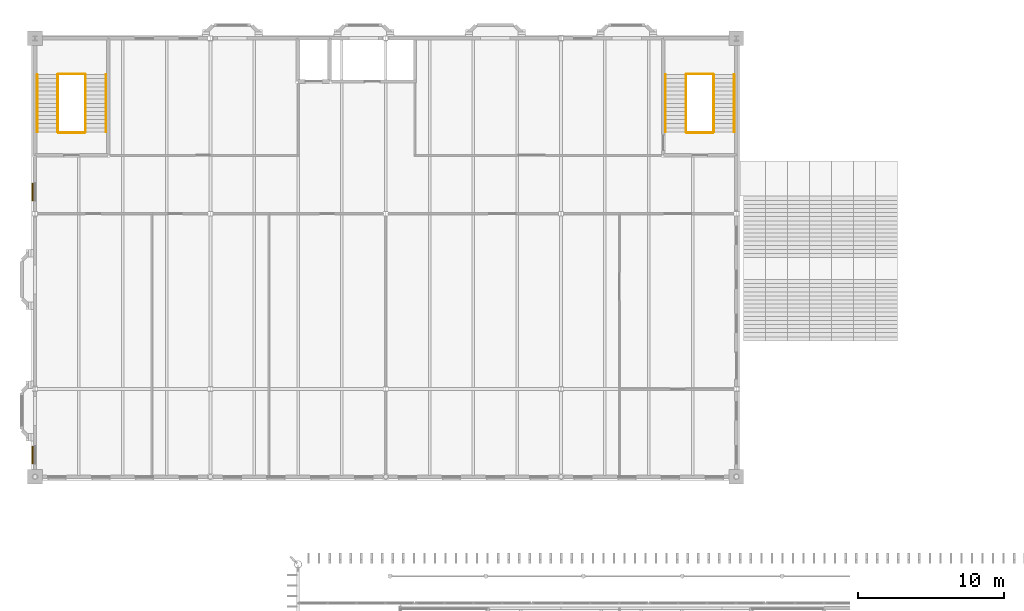
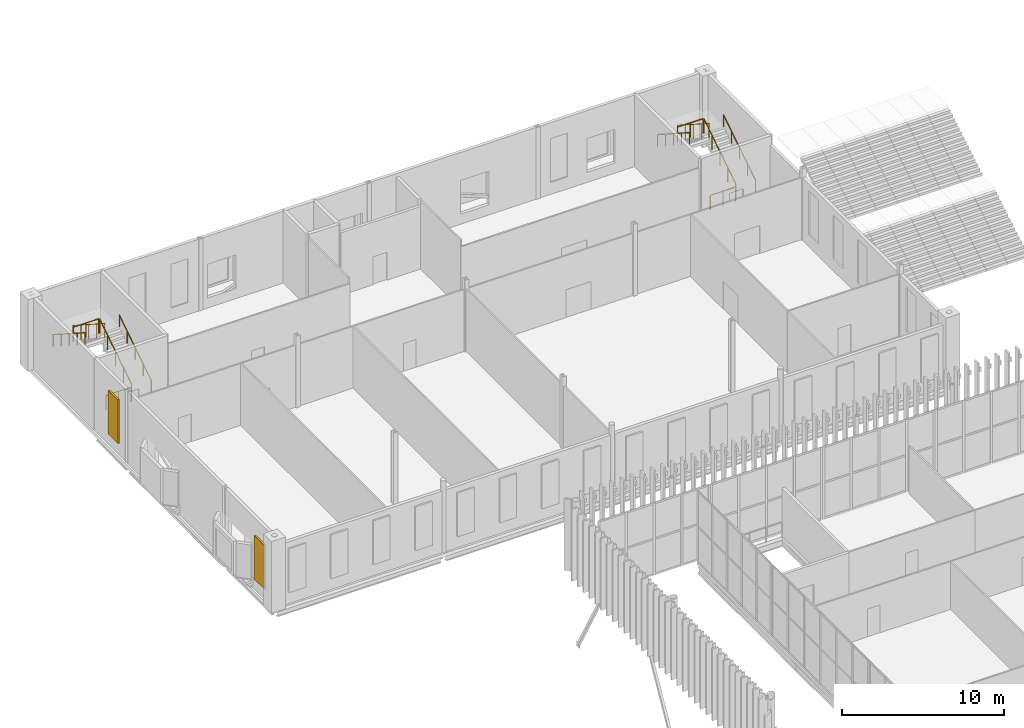
# One storey, part 164 of 170: 12 railings, 2 shading devices.
"""IFC4 building model written with IfcOpenShell, lengths in metres."""

from ifc_helpers import new_model, si_unit, direction, frame, origin, origin_2d, place, context, subcontext, project, spatial, rectangle, circle, extrude, material, layer, layer_set, type_object, element, save


model = new_model("IFC4")

# Units and contexts
model_context = context("Model", 3, precision=1e-05, world=origin(), true_north=direction((0.0, 1.0)))
body_context = subcontext(model_context, "Body", "Model", "MODEL_VIEW")
ifc_project = project(units=[si_unit("LENGTHUNIT", "METRE"), si_unit("AREAUNIT", "SQUARE_METRE"), si_unit("VOLUMEUNIT", "CUBIC_METRE"), si_unit("PLANEANGLEUNIT", "RADIAN"), si_unit("MASSUNIT", "GRAM", prefix="KILO")], contexts=[model_context])

# Site, building, storey
site_placement = place(None, origin())
site = spatial("IfcSite", under=ifc_project, at=site_placement, CompositionType="ELEMENT")
building_placement = place(site_placement, origin())
building = spatial("IfcBuilding", under=site, at=building_placement, Name="Ravi Spectrum Wholesale Market", CompositionType="ELEMENT")
storey_placement = place(building_placement, frame((0.0, 0.0, 5.39990234375)))
storey = spatial("IfcBuildingStorey", under=building, at=storey_placement, Name="L01", CompositionType="ELEMENT", Elevation=5.39990234375)

# Railings
ifc_material_1 = material(Name="Steel S355", Category="steel")
railing_type_1 = type_object("IfcRailingType", Name="Guard 1100", PredefinedType="GUARDRAIL", material=ifc_material_1)
railing_1_placement = place(storey_placement, frame((15.449951171875, 227.60009765625, 0.18017578125)))
element("IfcRailing", 1, at=railing_1_placement, inside=storey, type_object=railing_type_1, Name="L01 S-OF-1 stair guard 1", PredefinedType="GUARDRAIL", context=body_context, shape_type="SweptSolid", body=[
    extrude(circle(Radius=0.02392578125, at=origin_2d()), frame((0.0, 0.0, 1.076171875), z_axis=(0.0, 0.841171666519, 0.540768182723), x_axis=(-1.0, 0.0, 0.0)), (0.0, 0.0, 1.0), 4.66015625),
    extrude(circle(Radius=0.02099609375, at=origin_2d()), origin(), (0.0, 0.0, 1.0), 1.052001953125),
    extrude(circle(Radius=0.02099609375, at=origin_2d()), frame((0.0, 0.97998046875, 0.6298828125)), (0.0, 0.0, 1.0), 1.052001953125),
    extrude(circle(Radius=0.02099609375, at=origin_2d()), frame((0.0, 1.9599609375, 1.260009765625)), (0.0, 0.0, 1.0), 1.052001953125),
    extrude(circle(Radius=0.02099609375, at=origin_2d()), frame((0.0, 2.93994140625, 1.89013671875)), (0.0, 0.0, 1.0), 1.052001953125),
    extrude(circle(Radius=0.02099609375, at=origin_2d()), frame((0.0, 3.919921875, 2.52001953125)), (0.0, 0.0, 1.0), 1.052001953125),
])
railing_2_placement = place(storey_placement, frame((15.39990234375, 231.570068359375, 2.7001953125)))
element("IfcRailing", 2, at=railing_2_placement, inside=storey, type_object=railing_type_1, Name="L01 S-OF-1 stair guard 2", PredefinedType="GUARDRAIL", context=body_context, shape_type="SweptSolid", body=[
    extrude(circle(Radius=0.02392578125, at=origin_2d()), frame((0.0, 0.0, 1.076171875), z_axis=(-1.0, 0.0, 0.0), x_axis=(0.0, -1.0, 0.0)), (0.0, 0.0, 1.0), 1.7998046875),
    extrude(circle(Radius=0.02099609375, at=origin_2d()), origin(), (0.0, 0.0, 1.0), 1.052001953125),
    extrude(circle(Radius=0.02099609375, at=origin_2d()), frame((-0.89990234375, 0.0, 0.0)), (0.0, 0.0, 1.0), 1.052001953125),
    extrude(circle(Radius=0.02099609375, at=origin_2d()), frame((-1.7998046875, 0.0, 0.0)), (0.0, 0.0, 1.0), 1.052001953125),
])
railing_3_placement = place(storey_placement, frame((13.550048828125, 231.52001953125, 2.880126953125)))
element("IfcRailing", 3, at=railing_3_placement, inside=storey, type_object=railing_type_1, Name="L01 S-OF-1 stair guard 3", PredefinedType="GUARDRAIL", context=body_context, shape_type="SweptSolid", body=[
    extrude(circle(Radius=0.02392578125, at=origin_2d()), frame((0.0, 0.0, 1.076171875), z_axis=(0.0, -0.841171666519, 0.540768182723), x_axis=(1.0, 0.0, 0.0)), (0.0, 0.0, 1.0), 4.66015625),
    extrude(circle(Radius=0.02099609375, at=origin_2d()), origin(), (0.0, 0.0, 1.0), 1.052001953125),
    extrude(circle(Radius=0.02099609375, at=origin_2d()), frame((0.0, -0.97998046875, 0.6298828125)), (0.0, 0.0, 1.0), 1.052001953125),
    extrude(circle(Radius=0.02099609375, at=origin_2d()), frame((0.0, -1.9599609375, 1.260009765625)), (0.0, 0.0, 1.0), 1.052001953125),
    extrude(circle(Radius=0.02099609375, at=origin_2d()), frame((0.0, -2.93994140625, 1.89013671875)), (0.0, 0.0, 1.0), 1.052001953125),
    extrude(circle(Radius=0.02099609375, at=origin_2d()), frame((0.0, -3.919921875, 2.52001953125)), (0.0, 0.0, 1.0), 1.052001953125),
])
railing_4_placement = place(storey_placement, frame((15.39990234375, 227.550048828125, 0.0)))
element("IfcRailing", 4, at=railing_4_placement, inside=storey, type_object=railing_type_1, Name="L01 S-OF-1 stair guard 4", PredefinedType="GUARDRAIL", context=body_context, shape_type="SweptSolid", body=[
    extrude(circle(Radius=0.02392578125, at=origin_2d()), frame((0.0, 0.0, 1.076171875), z_axis=(-1.0, 0.0, 0.0), x_axis=(0.0, -1.0, 0.0)), (0.0, 0.0, 1.0), 1.7998046875),
    extrude(circle(Radius=0.02099609375, at=origin_2d()), origin(), (0.0, 0.0, 1.0), 1.052001953125),
    extrude(circle(Radius=0.02099609375, at=origin_2d()), frame((-0.89990234375, 0.0, 0.0)), (0.0, 0.0, 1.0), 1.052001953125),
    extrude(circle(Radius=0.02099609375, at=origin_2d()), frame((-1.7998046875, 0.0, 0.0)), (0.0, 0.0, 1.0), 1.052001953125),
])
railing_5_placement = place(storey_placement, frame((58.449951171875, 227.60009765625, 0.18017578125)))
element("IfcRailing", 5, at=railing_5_placement, inside=storey, type_object=railing_type_1, Name="L01 S-OF-2 stair guard 1", PredefinedType="GUARDRAIL", context=body_context, shape_type="SweptSolid", body=[
    extrude(circle(Radius=0.02392578125, at=origin_2d()), frame((0.0, 0.0, 1.076171875), z_axis=(0.0, 0.841171666519, 0.540768182723), x_axis=(-1.0, 0.0, 0.0)), (0.0, 0.0, 1.0), 4.66015625),
    extrude(circle(Radius=0.02099609375, at=origin_2d()), origin(), (0.0, 0.0, 1.0), 1.052001953125),
    extrude(circle(Radius=0.02099609375, at=origin_2d()), frame((0.0, 0.97998046875, 0.6298828125)), (0.0, 0.0, 1.0), 1.052001953125),
    extrude(circle(Radius=0.02099609375, at=origin_2d()), frame((0.0, 1.9599609375, 1.260009765625)), (0.0, 0.0, 1.0), 1.052001953125),
    extrude(circle(Radius=0.02099609375, at=origin_2d()), frame((0.0, 2.93994140625, 1.89013671875)), (0.0, 0.0, 1.0), 1.052001953125),
    extrude(circle(Radius=0.02099609375, at=origin_2d()), frame((0.0, 3.919921875, 2.52001953125)), (0.0, 0.0, 1.0), 1.052001953125),
])
railing_6_placement = place(storey_placement, frame((58.39990234375, 231.570068359375, 2.7001953125)))
element("IfcRailing", 6, at=railing_6_placement, inside=storey, type_object=railing_type_1, Name="L01 S-OF-2 stair guard 2", PredefinedType="GUARDRAIL", context=body_context, shape_type="SweptSolid", body=[
    extrude(circle(Radius=0.02392578125, at=origin_2d()), frame((0.0, 0.0, 1.076171875), z_axis=(-1.0, 0.0, 0.0), x_axis=(0.0, -1.0, 0.0)), (0.0, 0.0, 1.0), 1.7998046875),
    extrude(circle(Radius=0.02099609375, at=origin_2d()), origin(), (0.0, 0.0, 1.0), 1.052001953125),
    extrude(circle(Radius=0.02099609375, at=origin_2d()), frame((-0.89990234375, 0.0, 0.0)), (0.0, 0.0, 1.0), 1.052001953125),
    extrude(circle(Radius=0.02099609375, at=origin_2d()), frame((-1.7998046875, 0.0, 0.0)), (0.0, 0.0, 1.0), 1.052001953125),
])
railing_7_placement = place(storey_placement, frame((56.550048828125, 231.52001953125, 2.880126953125)))
element("IfcRailing", 7, at=railing_7_placement, inside=storey, type_object=railing_type_1, Name="L01 S-OF-2 stair guard 3", PredefinedType="GUARDRAIL", context=body_context, shape_type="SweptSolid", body=[
    extrude(circle(Radius=0.02392578125, at=origin_2d()), frame((0.0, 0.0, 1.076171875), z_axis=(0.0, -0.841171666519, 0.540768182723), x_axis=(1.0, 0.0, 0.0)), (0.0, 0.0, 1.0), 4.66015625),
    extrude(circle(Radius=0.02099609375, at=origin_2d()), origin(), (0.0, 0.0, 1.0), 1.052001953125),
    extrude(circle(Radius=0.02099609375, at=origin_2d()), frame((0.0, -0.97998046875, 0.6298828125)), (0.0, 0.0, 1.0), 1.052001953125),
    extrude(circle(Radius=0.02099609375, at=origin_2d()), frame((0.0, -1.9599609375, 1.260009765625)), (0.0, 0.0, 1.0), 1.052001953125),
    extrude(circle(Radius=0.02099609375, at=origin_2d()), frame((0.0, -2.93994140625, 1.89013671875)), (0.0, 0.0, 1.0), 1.052001953125),
    extrude(circle(Radius=0.02099609375, at=origin_2d()), frame((0.0, -3.919921875, 2.52001953125)), (0.0, 0.0, 1.0), 1.052001953125),
])
railing_8_placement = place(storey_placement, frame((58.39990234375, 227.550048828125, 0.0)))
element("IfcRailing", 8, at=railing_8_placement, inside=storey, type_object=railing_type_1, Name="L01 S-OF-2 stair guard 4", PredefinedType="GUARDRAIL", context=body_context, shape_type="SweptSolid", body=[
    extrude(circle(Radius=0.02392578125, at=origin_2d()), frame((0.0, 0.0, 1.076171875), z_axis=(-1.0, 0.0, 0.0), x_axis=(0.0, -1.0, 0.0)), (0.0, 0.0, 1.0), 1.7998046875),
    extrude(circle(Radius=0.02099609375, at=origin_2d()), origin(), (0.0, 0.0, 1.0), 1.052001953125),
    extrude(circle(Radius=0.02099609375, at=origin_2d()), frame((-0.89990234375, 0.0, 0.0)), (0.0, 0.0, 1.0), 1.052001953125),
    extrude(circle(Radius=0.02099609375, at=origin_2d()), frame((-1.7998046875, 0.0, 0.0)), (0.0, 0.0, 1.0), 1.052001953125),
])
ifc_material_2 = material(Name="Stainless steel", Category="steel")
railing_type_2 = type_object("IfcRailingType", Name="Handrail 900", PredefinedType="HANDRAIL", material=ifc_material_2)
railing_9_placement = place(storey_placement, frame((16.85009765625, 227.60009765625, 0.18017578125)))
element("IfcRailing", 9, at=railing_9_placement, inside=storey, type_object=railing_type_2, Name="L01 S-OF-1 stair handrail 1", PredefinedType="HANDRAIL", context=body_context, shape_type="SweptSolid", body=[
    extrude(circle(Radius=0.02392578125, at=origin_2d()), frame((0.0, 0.0, 0.8759765625), z_axis=(0.0, 0.841171666519, 0.540768182723), x_axis=(-1.0, 0.0, 0.0)), (0.0, 0.0, 1.0), 4.66015625),
    extrude(circle(Radius=0.02099609375, at=origin_2d()), origin(), (0.0, 0.0, 1.0), 0.851806640625),
    extrude(circle(Radius=0.02099609375, at=origin_2d()), frame((0.0, 0.97998046875, 0.6298828125)), (0.0, 0.0, 1.0), 0.851806640625),
    extrude(circle(Radius=0.02099609375, at=origin_2d()), frame((0.0, 1.9599609375, 1.260009765625)), (0.0, 0.0, 1.0), 0.851806640625),
    extrude(circle(Radius=0.02099609375, at=origin_2d()), frame((0.0, 2.93994140625, 1.89013671875)), (0.0, 0.0, 1.0), 0.851806640625),
    extrude(circle(Radius=0.02099609375, at=origin_2d()), frame((0.0, 3.919921875, 2.52001953125)), (0.0, 0.0, 1.0), 0.851806640625),
])
railing_10_placement = place(storey_placement, frame((12.14990234375, 231.52001953125, 2.880126953125)))
element("IfcRailing", 10, at=railing_10_placement, inside=storey, type_object=railing_type_2, Name="L01 S-OF-1 stair handrail 2", PredefinedType="HANDRAIL", context=body_context, shape_type="SweptSolid", body=[
    extrude(circle(Radius=0.02392578125, at=origin_2d()), frame((0.0, 0.0, 0.8759765625), z_axis=(0.0, -0.841171666519, 0.540768182723), x_axis=(1.0, 0.0, 0.0)), (0.0, 0.0, 1.0), 4.66015625),
    extrude(circle(Radius=0.02099609375, at=origin_2d()), origin(), (0.0, 0.0, 1.0), 0.851806640625),
    extrude(circle(Radius=0.02099609375, at=origin_2d()), frame((0.0, -0.97998046875, 0.6298828125)), (0.0, 0.0, 1.0), 0.851806640625),
    extrude(circle(Radius=0.02099609375, at=origin_2d()), frame((0.0, -1.9599609375, 1.260009765625)), (0.0, 0.0, 1.0), 0.851806640625),
    extrude(circle(Radius=0.02099609375, at=origin_2d()), frame((0.0, -2.93994140625, 1.89013671875)), (0.0, 0.0, 1.0), 0.851806640625),
    extrude(circle(Radius=0.02099609375, at=origin_2d()), frame((0.0, -3.919921875, 2.52001953125)), (0.0, 0.0, 1.0), 0.851806640625),
])
railing_11_placement = place(storey_placement, frame((59.85009765625, 227.60009765625, 0.18017578125)))
element("IfcRailing", 11, at=railing_11_placement, inside=storey, type_object=railing_type_2, Name="L01 S-OF-2 stair handrail 1", PredefinedType="HANDRAIL", context=body_context, shape_type="SweptSolid", body=[
    extrude(circle(Radius=0.02392578125, at=origin_2d()), frame((0.0, 0.0, 0.8759765625), z_axis=(0.0, 0.841171666519, 0.540768182723), x_axis=(-1.0, 0.0, 0.0)), (0.0, 0.0, 1.0), 4.66015625),
    extrude(circle(Radius=0.02099609375, at=origin_2d()), origin(), (0.0, 0.0, 1.0), 0.851806640625),
    extrude(circle(Radius=0.02099609375, at=origin_2d()), frame((0.0, 0.97998046875, 0.6298828125)), (0.0, 0.0, 1.0), 0.851806640625),
    extrude(circle(Radius=0.02099609375, at=origin_2d()), frame((0.0, 1.9599609375, 1.260009765625)), (0.0, 0.0, 1.0), 0.851806640625),
    extrude(circle(Radius=0.02099609375, at=origin_2d()), frame((0.0, 2.93994140625, 1.89013671875)), (0.0, 0.0, 1.0), 0.851806640625),
    extrude(circle(Radius=0.02099609375, at=origin_2d()), frame((0.0, 3.919921875, 2.52001953125)), (0.0, 0.0, 1.0), 0.851806640625),
])
railing_12_placement = place(storey_placement, frame((55.14990234375, 231.52001953125, 2.880126953125)))
element("IfcRailing", 12, at=railing_12_placement, inside=storey, type_object=railing_type_2, Name="L01 S-OF-2 stair handrail 2", PredefinedType="HANDRAIL", context=body_context, shape_type="SweptSolid", body=[
    extrude(circle(Radius=0.02392578125, at=origin_2d()), frame((0.0, 0.0, 0.8759765625), z_axis=(0.0, -0.841171666519, 0.540768182723), x_axis=(1.0, 0.0, 0.0)), (0.0, 0.0, 1.0), 4.66015625),
    extrude(circle(Radius=0.02099609375, at=origin_2d()), origin(), (0.0, 0.0, 1.0), 0.851806640625),
    extrude(circle(Radius=0.02099609375, at=origin_2d()), frame((0.0, -0.97998046875, 0.6298828125)), (0.0, 0.0, 1.0), 0.851806640625),
    extrude(circle(Radius=0.02099609375, at=origin_2d()), frame((0.0, -1.9599609375, 1.260009765625)), (0.0, 0.0, 1.0), 0.851806640625),
    extrude(circle(Radius=0.02099609375, at=origin_2d()), frame((0.0, -2.93994140625, 1.89013671875)), (0.0, 0.0, 1.0), 0.851806640625),
    extrude(circle(Radius=0.02099609375, at=origin_2d()), frame((0.0, -3.919921875, 2.52001953125)), (0.0, 0.0, 1.0), 0.851806640625),
])

# Shading devices
ifc_material_3 = material(Name="Perforated clinker brickwork", Category="masonry")
ifc_layer = layer(ifc_material_3, 0.114990234375)
ifc_layer_set = layer_set([ifc_layer], Name="Perforated clinker brickwork")
shading_device_type = type_object("IfcShadingDeviceType", Name="Jali brick screen panel 115", PredefinedType="USERDEFINED", material=ifc_layer_set)
for number, where, z_axis, x_axis, name in (
    (13, (11.827392578125, 205.5, 0.89990234375), (0.0, 0.0, 1.0), (1.0, 0.0, 0.0), "Jali screen"),
    (14, (11.827392578125, 223.5, 0.89990234375), (0.0, 0.0, 1.0), (1.0, 0.0, 0.0), "Jali screen"),
):
    element("IfcShadingDevice", number, at=place(storey_placement, frame(where, z_axis=z_axis, x_axis=x_axis)), inside=storey, type_object=shading_device_type, Name=name, ObjectType="SCREEN", PredefinedType="USERDEFINED", context=body_context, shape_type="SweptSolid", body=[
        extrude(rectangle(XDim=0.114990234375, YDim=1.199951171875, at=origin_2d()), origin(), (0.0, 0.0, 1.0), 3.300048828125),
    ])

save(model, "model.ifc")
